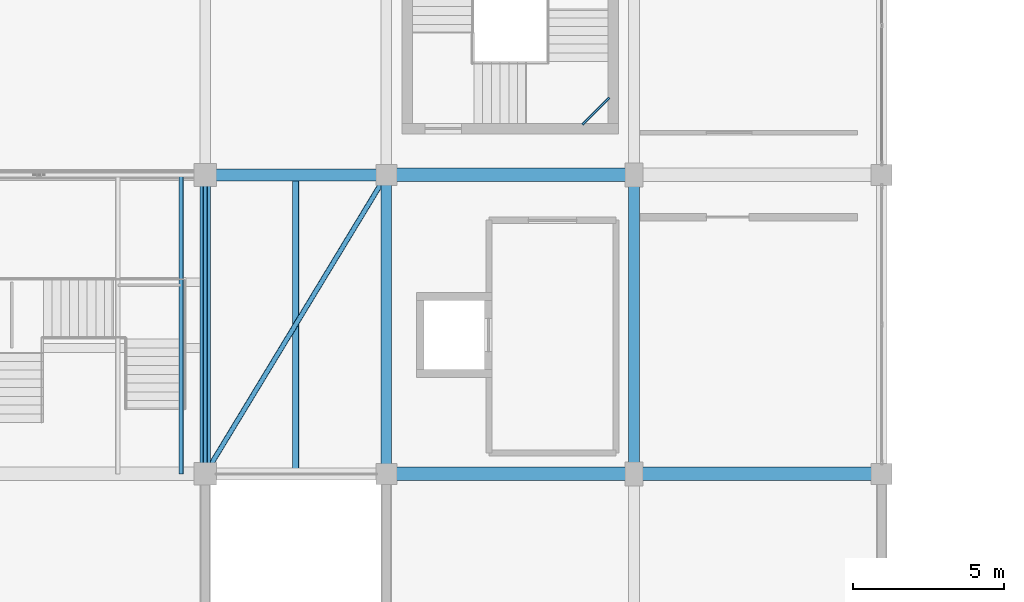
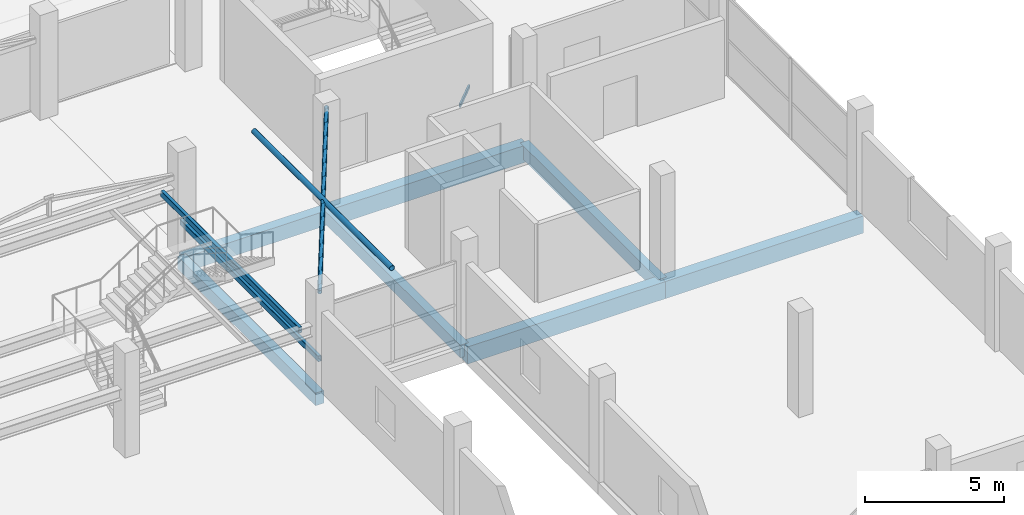
# One storey, part 16 of 55: 10 beams, 2 members.
"""IFC4 building model written with IfcOpenShell, lengths in metres."""

from ifc_helpers import new_model, si_unit, direction, frame, origin, origin_2d, place, context, subcontext, project, spatial, rectangle, hollow_rectangle, hollow_circle, extrude, material, material_profile, profile_set, type_object, element, save


model = new_model("IFC4")

# Units and contexts
model_context = context("Model", 3, precision=1e-05, world=origin(), true_north=direction((0.0, 1.0)))
body_context = subcontext(model_context, "Body", "Model", "MODEL_VIEW")
ifc_project = project(units=[si_unit("LENGTHUNIT", "METRE"), si_unit("AREAUNIT", "SQUARE_METRE"), si_unit("VOLUMEUNIT", "CUBIC_METRE"), si_unit("PLANEANGLEUNIT", "RADIAN"), si_unit("MASSUNIT", "GRAM", prefix="KILO")], contexts=[model_context])

# Site, building, storey
site_placement = place(None, origin())
site = spatial("IfcSite", under=ifc_project, at=site_placement, CompositionType="ELEMENT")
building_placement = place(site_placement, origin())
building = spatial("IfcBuilding", under=site, at=building_placement, Name="Sillaruma Civic Art Gallery", CompositionType="ELEMENT")
storey_placement = place(building_placement, frame((0.0, 0.0, 37.739990234375)))
storey = spatial("IfcBuildingStorey", under=building, at=storey_placement, Name="L07", CompositionType="ELEMENT", Elevation=37.739990234375)

# Beams
ifc_material_1 = material(Name="Concrete H35 (35 MPa)", Category="concrete")
ifc_material_profile_1 = material_profile(ifc_material_1, rectangle(XDim=0.35009765625, YDim=0.60009765625, at=origin_2d()), Name="RCB350x600")
ifc_profile_set_1 = profile_set([ifc_material_profile_1], Name="Concrete H35 (35 MPa)")
beam_type_1 = type_object("IfcBeamType", Name="BM-BEAM-RCB350x600", PredefinedType="BEAM", material=ifc_profile_set_1)
beam_1_placement = place(storey_placement, frame((106.199951171875, 39.60009765625, -0.5400390625), z_axis=(0.0, 1.0, 0.0), x_axis=(-1.0, 0.0, 0.0)))
element("IfcBeam", 1, at=beam_1_placement, inside=storey, type_object=beam_type_1, Name="Beam BM-06 (L06:M:5-6)", PredefinedType="BEAM", context=body_context, shape_type="SweptSolid", body=[
    extrude(rectangle(XDim=0.35009765625, YDim=0.60009765625, at=origin_2d()), origin(), (0.0, 0.0, 1.0), 9.89990234375),
])
ifc_material_profile_2 = material_profile(ifc_material_1, rectangle(XDim=0.39990234375, YDim=0.64990234375, at=origin_2d()), Name="RCB400x650")
ifc_profile_set_2 = profile_set([ifc_material_profile_2], Name="Concrete H35 (35 MPa)")
beam_type_2 = type_object("IfcBeamType", Name="BM-BEAM-RCB400x650", PredefinedType="BEAM", material=ifc_profile_set_2)
beam_2_placement = place(storey_placement, frame((92.0, 49.5, -0.56494140625), z_axis=(1.0, 0.0, 0.0), x_axis=(0.0, 1.0, 0.0)))
element("IfcBeam", 2, at=beam_2_placement, inside=storey, type_object=beam_type_2, Name="Beam BM-05 (L06:6:K-L)", PredefinedType="BEAM", context=body_context, shape_type="SweptSolid", body=[
    extrude(rectangle(XDim=0.39990234375, YDim=0.64990234375, at=origin_2d()), origin(), (0.0, 0.0, 1.0), 6.0),
])
ifc_material_2 = material(Name="Concrete H40 (40 MPa)", Category="concrete")
ifc_material_profile_3 = material_profile(ifc_material_2, rectangle(XDim=0.449951171875, YDim=0.75, at=origin_2d()), Name="RCB450x750")
ifc_profile_set_3 = profile_set([ifc_material_profile_3], Name="Concrete H40 (40 MPa)")
beam_type_3 = type_object("IfcBeamType", Name="BM-BEAM-RCB450x750", PredefinedType="BEAM", material=ifc_profile_set_3)
for number, where, z_axis, x_axis, name in (
    (3, (98.0, 39.60009765625, -0.614990234375), (1.0, 0.0, 0.0), (0.0, 1.0, 0.0), "Beam BM-03 (L06:5:L-M)"),
    (4, (106.199951171875, 39.60009765625, -0.614990234375), (1.0, 0.0, 0.0), (0.0, 1.0, 0.0), "Beam BM-03 (L06:5:M-N)"),
    (5, (98.0, 49.5, -0.614990234375), (1.0, 0.0, 0.0), (0.0, 1.0, 0.0), "Beam BM-03 (L06:6:L-M)"),
):
    element("IfcBeam", number, at=place(storey_placement, frame(where, z_axis=z_axis, x_axis=x_axis)), inside=storey, type_object=beam_type_3, Name=name, PredefinedType="BEAM", context=body_context, shape_type="SweptSolid", body=[
        extrude(rectangle(XDim=0.449951171875, YDim=0.75, at=origin_2d()), origin(), (0.0, 0.0, 1.0), 8.199951171875),
    ])
ifc_material_3 = material(Name="Structural Steel ASTM A500 Gr.C", Category="steel")
ifc_material_profile_4 = material_profile(ifc_material_3, hollow_rectangle(XDim=0.080078125, YDim=0.159912109375, WallThickness=0.008056640625, InnerFilletRadius=0.008056640625, OuterFilletRadius=0.01611328125, at=origin_2d()), Name="HSS160x80x8")
ifc_profile_set_4 = profile_set([ifc_material_profile_4], Name="Structural Steel ASTM A500 Gr.C")
beam_type_4 = type_object("IfcBeamType", Name="BM-LND-HSS160", PredefinedType="BEAM", material=ifc_profile_set_4)
beam_3_placement = place(storey_placement, frame((104.489990234375, 51.169921875, 0.909912109375), z_axis=(0.707009791025, 0.707203758046, 0.0), x_axis=(-0.707203758046, 0.707009791025, 0.0)))
element("IfcBeam", 6, at=beam_3_placement, inside=storey, type_object=beam_type_4, Name="Stair Corner Landing Trimmer Beam (ST-04-L07-1)", PredefinedType="BEAM", context=body_context, shape_type="SweptSolid", body=[
    extrude(hollow_rectangle(XDim=0.080078125, YDim=0.159912109375, WallThickness=0.008056640625, InnerFilletRadius=0.008056640625, OuterFilletRadius=0.01611328125, at=origin_2d()), origin(), (0.0, 0.0, 1.0), 1.2587890625),
])
ifc_material_profile_5 = material_profile(ifc_material_3, hollow_rectangle(XDim=0.14990234375, YDim=0.25, WallThickness=0.010009765625, InnerFilletRadius=0.010009765625, OuterFilletRadius=0.02001953125, at=origin_2d()), Name="HSS250x150x10")
ifc_profile_set_5 = profile_set([ifc_material_profile_5], Name="Structural Steel ASTM A500 Gr.C")
beam_type_5 = type_object("IfcBeamType", Name="BM-LND-HSS200", PredefinedType="BEAM", material=ifc_profile_set_5)
for number, where, z_axis, x_axis, name in (
    (7, (92.0, 39.60009765625, 1.219970703125), (0.0, 1.0, 0.0), (-1.0, 0.0, 0.0), "Feature Stair L1 Rail (ST-G04-E)"),
    (8, (91.199951171875, 39.60009765625, 2.75), (0.0, 1.0, 0.0), (-1.0, 0.0, 0.0), "Feature Stair L2 Girder (ST-G04-2)"),
):
    element("IfcBeam", number, at=place(storey_placement, frame(where, z_axis=z_axis, x_axis=x_axis)), inside=storey, type_object=beam_type_5, Name=name, PredefinedType="BEAM", context=body_context, shape_type="SweptSolid", body=[
        extrude(hollow_rectangle(XDim=0.14990234375, YDim=0.25, WallThickness=0.010009765625, InnerFilletRadius=0.010009765625, OuterFilletRadius=0.02001953125, at=origin_2d()), origin(), (0.0, 0.0, 1.0), 9.89990234375),
    ])
ifc_material_profile_6 = material_profile(ifc_material_1, rectangle(XDim=0.35009765625, YDim=0.550048828125, at=origin_2d()), Name="RCB350x550")
ifc_profile_set_6 = profile_set([ifc_material_profile_6], Name="Concrete H35 (35 MPa)")
beam_type_6 = type_object("IfcBeamType", Name="BM-SPANDREL-RCB350x550", PredefinedType="SPANDREL", material=ifc_profile_set_6)
for number, where, z_axis, x_axis, name in (
    (9, (92.0, 39.60009765625, -0.514892578125), (0.0, 1.0, 0.0), (-1.0, 0.0, 0.0), "Beam BS-04 (L06:K:5-6)"),
    (10, (98.0, 39.60009765625, -0.514892578125), (0.0, 1.0, 0.0), (-1.0, 0.0, 0.0), "Beam BS-04 (L06:L:5-6)"),
):
    element("IfcBeam", number, at=place(storey_placement, frame(where, z_axis=z_axis, x_axis=x_axis)), inside=storey, type_object=beam_type_6, Name=name, PredefinedType="SPANDREL", context=body_context, shape_type="SweptSolid", body=[
        extrude(rectangle(XDim=0.35009765625, YDim=0.550048828125, at=origin_2d()), origin(), (0.0, 0.0, 1.0), 9.89990234375),
    ])

# Members
ifc_material_profile_7 = material_profile(ifc_material_3, hollow_circle(Radius=0.084228515625, WallThickness=0.007080078125, at=origin_2d()), Name="CHS168.3x7.1")
ifc_profile_set_7 = profile_set([ifc_material_profile_7], Name="Structural Steel ASTM A500 Gr.C")
member_type_1 = type_object("IfcMemberType", Name="MEM-BRIDGE-BRACE", PredefinedType="BRACE", material=ifc_profile_set_7)
member_1_placement = place(storey_placement, frame((92.0, 39.60009765625, 4.132080078125), z_axis=(0.518305455332, 0.855195565337, 0.0), x_axis=(-0.855195565337, 0.518305455332, 0.0)))
element("IfcMember", 11, at=member_1_placement, inside=storey, type_object=member_type_1, Name="Sky-Bridge Diagonal Plan Brace (BRG-S:L08)", PredefinedType="BRACE", context=body_context, shape_type="SweptSolid", body=[
    extrude(hollow_circle(Radius=0.084228515625, WallThickness=0.007080078125, at=origin_2d()), origin(), (0.0, 0.0, 1.0), 11.576171875),
])
ifc_material_profile_8 = material_profile(ifc_material_3, hollow_circle(Radius=0.109619140625, WallThickness=0.00830078125, at=origin_2d()), Name="CHS219.1x8.2")
ifc_profile_set_8 = profile_set([ifc_material_profile_8], Name="Structural Steel ASTM A500 Gr.C")
member_type_2 = type_object("IfcMemberType", Name="MEM-BRIDGE-STRUT", PredefinedType="STRUT", material=ifc_profile_set_8)
member_2_placement = place(storey_placement, frame((95.0, 39.60009765625, 4.132080078125), z_axis=(0.0, 1.0, 0.0), x_axis=(-1.0, 0.0, 0.0)))
element("IfcMember", 12, at=member_2_placement, inside=storey, type_object=member_type_2, Name="Sky-Bridge Transverse Strut (BRG-S:L08)", PredefinedType="STRUT", context=body_context, shape_type="SweptSolid", body=[
    extrude(hollow_circle(Radius=0.109619140625, WallThickness=0.00830078125, at=origin_2d()), origin(), (0.0, 0.0, 1.0), 9.89990234375),
])

save(model, "model.ifc")
